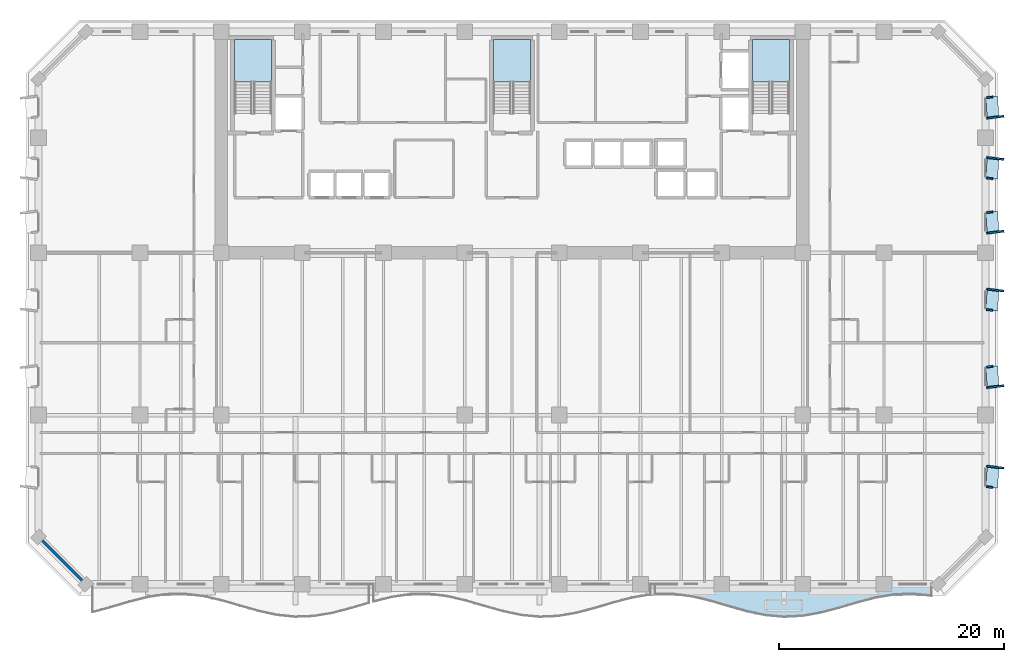
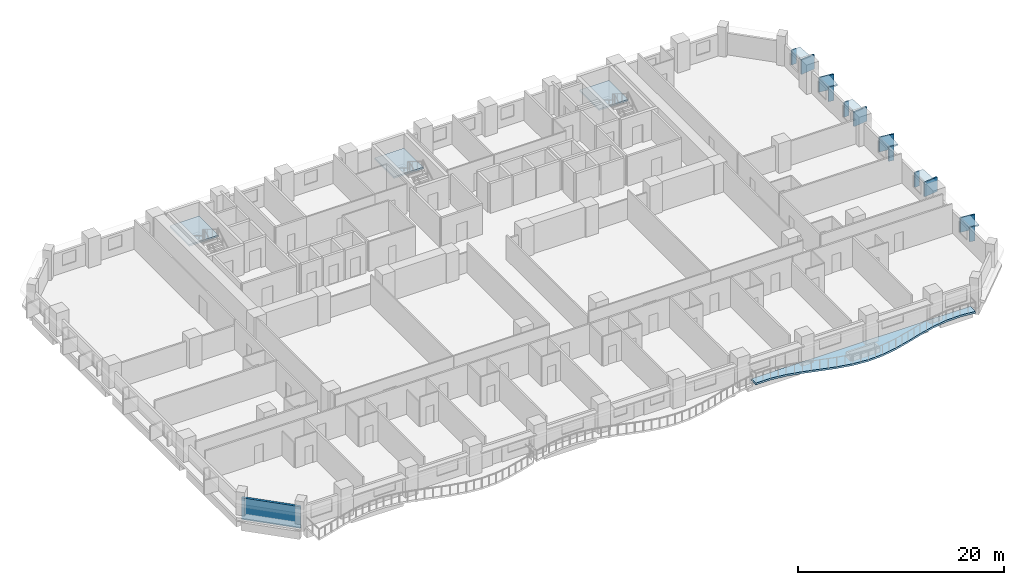
# One storey, part 3 of 15: 18 plates, 4 slabs, 1 wall, 3 elements without a shape of their own.
"""IFC4 building model written with IfcOpenShell, lengths in metres."""

from ifc_helpers import new_model, si_unit, direction, frame, frame_2d, origin, origin_2d, place, context, subcontext, project, spatial, polyline, rectangle, outline, extrude, material, layer, layer_set, type_object, element, aggregate, save


model = new_model("IFC4")

# Units and contexts
model_context = context("Model", 3, precision=1e-05, world=origin(), true_north=direction((0.0, 1.0)))
body_context = subcontext(model_context, "Body", "Model", "MODEL_VIEW")
ifc_project = project(units=[si_unit("LENGTHUNIT", "METRE"), si_unit("AREAUNIT", "SQUARE_METRE"), si_unit("VOLUMEUNIT", "CUBIC_METRE"), si_unit("PLANEANGLEUNIT", "RADIAN"), si_unit("MASSUNIT", "GRAM", prefix="KILO")], contexts=[model_context])

# Site, building, storey
site_placement = place(None, origin())
site = spatial("IfcSite", under=ifc_project, at=site_placement, CompositionType="ELEMENT")
building_placement = place(site_placement, origin())
building = spatial("IfcBuilding", under=site, at=building_placement, Name="Kaelvorn Grand Hotel", CompositionType="ELEMENT")
storey_placement = place(building_placement, frame((0.0, 0.0, 50.14990234375)))
storey = spatial("IfcBuildingStorey", under=building, at=storey_placement, Name="L10", CompositionType="ELEMENT", Elevation=50.14990234375)

# Plates
ifc_material_1 = material(Name="Precast concrete C45/55", Category="concrete")
ifc_layer_1 = layer(ifc_material_1, 0.159912109375)
ifc_layer_set_1 = layer_set([ifc_layer_1], Name="Precast concrete C45/55")
plate_type_1 = type_object("IfcPlateType", Name="PL-FRAME-DEEP-1550", PredefinedType="USERDEFINED", material=ifc_layer_set_1)
for number, where, z_axis, x_axis, name in (
    (1, (84.864990234375, 10.389892578125, 0.68994140625), (0.0, 0.0, 1.0), (0.121869343405, 0.992546151641, 0.0), "L10 Tilted Precast Window Frame Fin R-E01"),
    (2, (84.864990234375, 17.52001953125, 0.68994140625), (0.0, 0.0, 1.0), (-0.121869343405, 0.992546151641, 0.0), "L10 Tilted Precast Window Frame Fin L-E02"),
    (3, (84.864990234375, 26.10009765625, 0.68994140625), (0.0, 0.0, 1.0), (0.121869343405, 0.992546151641, 0.0), "L10 Tilted Precast Window Frame Fin R-E03"),
    (4, (84.864990234375, 31.22509765625, 0.68994140625), (0.0, 0.0, 1.0), (-0.121869343405, 0.992546151641, 0.0), "L10 Tilted Precast Window Frame Fin L-E04"),
    (5, (84.864990234375, 37.77490234375, 0.68994140625), (0.0, 0.0, 1.0), (0.121869343405, 0.992546151641, 0.0), "L10 Tilted Precast Window Frame Fin R-E05"),
    (6, (84.864990234375, 41.425048828125, 0.68994140625), (0.0, 0.0, 1.0), (-0.121869343405, 0.992546151641, 0.0), "L10 Tilted Precast Window Frame Fin L-E06"),
):
    element("IfcPlate", number, at=place(storey_placement, frame(where, z_axis=z_axis, x_axis=x_axis)), inside=storey, type_object=plate_type_1, Name=name, ObjectType="FLANGE_PLATE", PredefinedType="USERDEFINED", context=body_context, shape_type="SweptSolid", body=[
        extrude(rectangle(XDim=0.159912109375, YDim=1.550048828125, at=origin_2d()), origin(), (0.0, 0.0, 1.0), 1.719970703125),
    ])
ifc_layer_2 = layer(ifc_material_1, 0.159912109375)
ifc_layer_set_2 = layer_set([ifc_layer_2], Name="Precast concrete C45/55")
plate_type_2 = type_object("IfcPlateType", Name="PL-FRAME-HEAD-1050", PredefinedType="USERDEFINED", material=ifc_layer_set_2)
for number, where, z_axis, x_axis, name in (
    (7, (84.614990234375, 9.5, 2.25), (0.0, 0.0, 1.0), (0.054950179912, 0.998489097451, 0.0), "L10 Precast Window Frame Head Hood H-E01"),
    (8, (84.614990234375, 18.409912109375, 2.25), (0.0, 0.0, 1.0), (-0.054950179912, 0.998489097451, 0.0), "L10 Precast Window Frame Head Hood H-E02"),
    (9, (84.614990234375, 25.2099609375, 2.25), (0.0, 0.0, 1.0), (0.054950179912, 0.998489097451, 0.0), "L10 Precast Window Frame Head Hood H-E03"),
    (10, (84.614990234375, 32.114990234375, 2.25), (0.0, 0.0, 1.0), (-0.054950179912, 0.998489097451, 0.0), "L10 Precast Window Frame Head Hood H-E04"),
    (11, (84.614990234375, 36.885009765625, 2.25), (0.0, 0.0, 1.0), (0.054950179912, 0.998489097451, 0.0), "L10 Precast Window Frame Head Hood H-E05"),
    (12, (84.614990234375, 42.31494140625, 2.25), (0.0, 0.0, 1.0), (-0.054950179912, 0.998489097451, 0.0), "L10 Precast Window Frame Head Hood H-E06"),
):
    element("IfcPlate", number, at=place(storey_placement, frame(where, z_axis=z_axis, x_axis=x_axis)), inside=storey, type_object=plate_type_2, Name=name, ObjectType="FLANGE_PLATE", PredefinedType="USERDEFINED", context=body_context, shape_type="SweptSolid", body=[
        extrude(rectangle(XDim=1.860107421875, YDim=1.050048828125, at=origin_2d()), origin(), (0.0, 0.0, 1.0), 0.159912109375),
    ])
ifc_layer_3 = layer(ifc_material_1, 0.159912109375)
ifc_layer_set_3 = layer_set([ifc_layer_3], Name="Precast concrete C45/55")
plate_type_3 = type_object("IfcPlateType", Name="PL-FRAME-SHAL-550", PredefinedType="USERDEFINED", material=ifc_layer_set_3)
for number, where, z_axis, x_axis, name in (
    (13, (84.364990234375, 8.610107421875, 0.68994140625), (0.0, 0.0, 1.0), (0.121869343405, 0.992546151641, 0.0), "L10 Tilted Precast Window Frame Fin L-E01"),
    (14, (84.364990234375, 19.300048828125, 0.68994140625), (0.0, 0.0, 1.0), (-0.121869343405, 0.992546151641, 0.0), "L10 Tilted Precast Window Frame Fin R-E02"),
    (15, (84.364990234375, 24.320068359375, 0.68994140625), (0.0, 0.0, 1.0), (0.121869343405, 0.992546151641, 0.0), "L10 Tilted Precast Window Frame Fin L-E03"),
    (16, (84.364990234375, 33.0048828125, 0.68994140625), (0.0, 0.0, 1.0), (-0.121869343405, 0.992546151641, 0.0), "L10 Tilted Precast Window Frame Fin R-E04"),
    (17, (84.364990234375, 35.9951171875, 0.68994140625), (0.0, 0.0, 1.0), (0.121869343405, 0.992546151641, 0.0), "L10 Tilted Precast Window Frame Fin L-E05"),
    (18, (84.364990234375, 43.205078125, 0.68994140625), (0.0, 0.0, 1.0), (-0.121869343405, 0.992546151641, 0.0), "L10 Tilted Precast Window Frame Fin R-E06"),
):
    element("IfcPlate", number, at=place(storey_placement, frame(where, z_axis=z_axis, x_axis=x_axis)), inside=storey, type_object=plate_type_3, Name=name, ObjectType="FLANGE_PLATE", PredefinedType="USERDEFINED", context=body_context, shape_type="SweptSolid", body=[
        extrude(rectangle(XDim=0.159912109375, YDim=0.550048828125, at=origin_2d()), origin(), (0.0, 0.0, 1.0), 1.719970703125),
    ])

# Slab
ifc_material_2 = material(Name="Concrete C40/50", Category="concrete")
ifc_layer_4 = layer(ifc_material_2, 0.219970703125)
ifc_layer_set_4 = layer_set([ifc_layer_4], Name="Concrete C40/50")
slab_type_1 = type_object("IfcSlabType", Name="SLB-BALC-220-C40", PredefinedType="FLOOR", material=ifc_layer_set_4)
slab_1_placement = place(storey_placement, frame((0.0, 0.0, -0.219970703125)))
element("IfcSlab", 19, at=slab_1_placement, inside=storey, type_object=slab_type_1, Name="L10 Scalloped Wave Balcony Slab 3", PredefinedType="FLOOR", context=body_context, shape_type="SweptSolid", body=[
    extrude(outline(polyline([(54.666748046875, -0.884521484375), (56.30224609375, -0.873779296875), (57.937744140625, -1.08544921875), (59.5732421875, -1.47265625), (61.208984375, -1.94921875), (62.844482421875, -2.4091796875), (64.47998046875, -2.75048828125), (66.115478515625, -2.8974609375), (67.751220703125, -2.817138671875), (69.38671875, -2.52783203125), (71.022216796875, -2.09326171875), (72.65771484375, -1.6103515625), (74.293212890625, -1.186279296875), (75.928955078125, -0.9150390625), (77.564453125, -0.857177734375), (79.199951171875, -1.025146484375), (79.199951171875, 0.0), (54.666748046875, 0.0), (54.666748046875, -0.884521484375)])), origin(), (0.0, 0.0, 1.0), 0.219970703125),
])

# Stair, slab
stair_type = type_object("IfcStairType", Name="STR-DOG-1560-R06", PredefinedType="HALF_TURN_STAIR", material=ifc_material_2)
stair_1_placement = place(storey_placement, origin())
stair_1 = element("IfcStair", 20, at=stair_1_placement, inside=storey, type_object=stair_type, Name="L10 West Core Exit Stair ST1", PredefinedType="HALF_TURN_STAIR")
ifc_layer_5 = layer(ifc_material_2, 0.199951171875)
ifc_layer_set_5 = layer_set([ifc_layer_5], Name="Concrete C40/50")
slab_type_2 = type_object("IfcSlabType", Name="SLB-LAND-200-C40", PredefinedType="LANDING", material=ifc_layer_set_5)
slab_2_placement = place(storey_placement, frame((0.0, 0.0, 1.675048828125)))
slab_2 = element("IfcSlab", 21, at=slab_2_placement, type_object=slab_type_2, Name="ST1 landing 1", PredefinedType="LANDING", context=body_context, shape_type="SweptSolid", body=[
    extrude(outline(polyline([(20.679931640625, 44.56005859375), (20.679931640625, 48.300048828125), (17.39990234375, 48.300048828125), (17.39990234375, 44.56005859375), (20.679931640625, 44.56005859375)])), origin(), (0.0, 0.0, 1.0), 0.199951171875),
])
aggregate(stair_1, [slab_2])

stair_2_placement = place(storey_placement, origin())
stair_2 = element("IfcStair", 22, at=stair_2_placement, inside=storey, type_object=stair_type, Name="L10 Central Core Exit Stair ST2", PredefinedType="HALF_TURN_STAIR")
slab_3_placement = place(storey_placement, frame((0.0, 0.0, 1.675048828125)))
slab_3 = element("IfcSlab", 23, at=slab_3_placement, type_object=slab_type_2, Name="ST2 landing 1", PredefinedType="LANDING", context=body_context, shape_type="SweptSolid", body=[
    extrude(outline(polyline([(43.639892578125, 44.56005859375), (43.639892578125, 48.300048828125), (40.360107421875, 48.300048828125), (40.360107421875, 44.56005859375), (43.639892578125, 44.56005859375)])), origin(), (0.0, 0.0, 1.0), 0.199951171875),
])
aggregate(stair_2, [slab_3])

stair_3_placement = place(storey_placement, origin())
stair_3 = element("IfcStair", 24, at=stair_3_placement, inside=storey, type_object=stair_type, Name="L10 East Core Exit Stair ST3", PredefinedType="HALF_TURN_STAIR")
slab_4_placement = place(storey_placement, frame((0.0, 0.0, 1.675048828125)))
slab_4 = element("IfcSlab", 25, at=slab_4_placement, type_object=slab_type_2, Name="ST3 landing 1", PredefinedType="LANDING", context=body_context, shape_type="SweptSolid", body=[
    extrude(outline(polyline([(66.60009765625, 44.56005859375), (66.60009765625, 48.300048828125), (63.320068359375, 48.300048828125), (63.320068359375, 44.56005859375), (66.60009765625, 44.56005859375)])), origin(), (0.0, 0.0, 1.0), 0.199951171875),
])
aggregate(stair_3, [slab_4])

# Wall
ifc_layer_6 = layer(ifc_material_2, 0.260009765625)
ifc_layer_set_6 = layer_set([ifc_layer_6], Name="Concrete C40/50")
wall_type = type_object("IfcWallType", Name="WL-EXT-260-C40", PredefinedType="SOLIDWALL", material=ifc_layer_set_6)
wall_placement = place(storey_placement, frame((0.0, 4.199951171875, 0.0), z_axis=(0.0, 0.0, 1.0), x_axis=(0.707106781187, -0.707106781187, 0.0)))
element("IfcWall", 26, at=wall_placement, inside=storey, type_object=wall_type, Name="L10 Exterior Architectural Concrete Wall 08", PredefinedType="SOLIDWALL", context=body_context, shape_type="SweptSolid", body=[
    extrude(rectangle(XDim=5.939697265625, YDim=0.260009765625, at=frame_2d((2.9697265625, 0.0))), origin(), (0.0, 0.0, 1.0), 2.56005859375),
])

save(model, "model.ifc")
